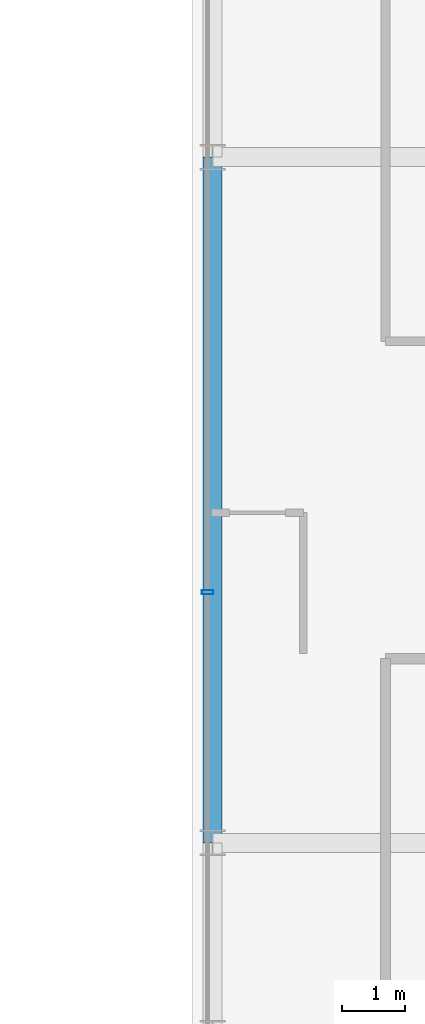
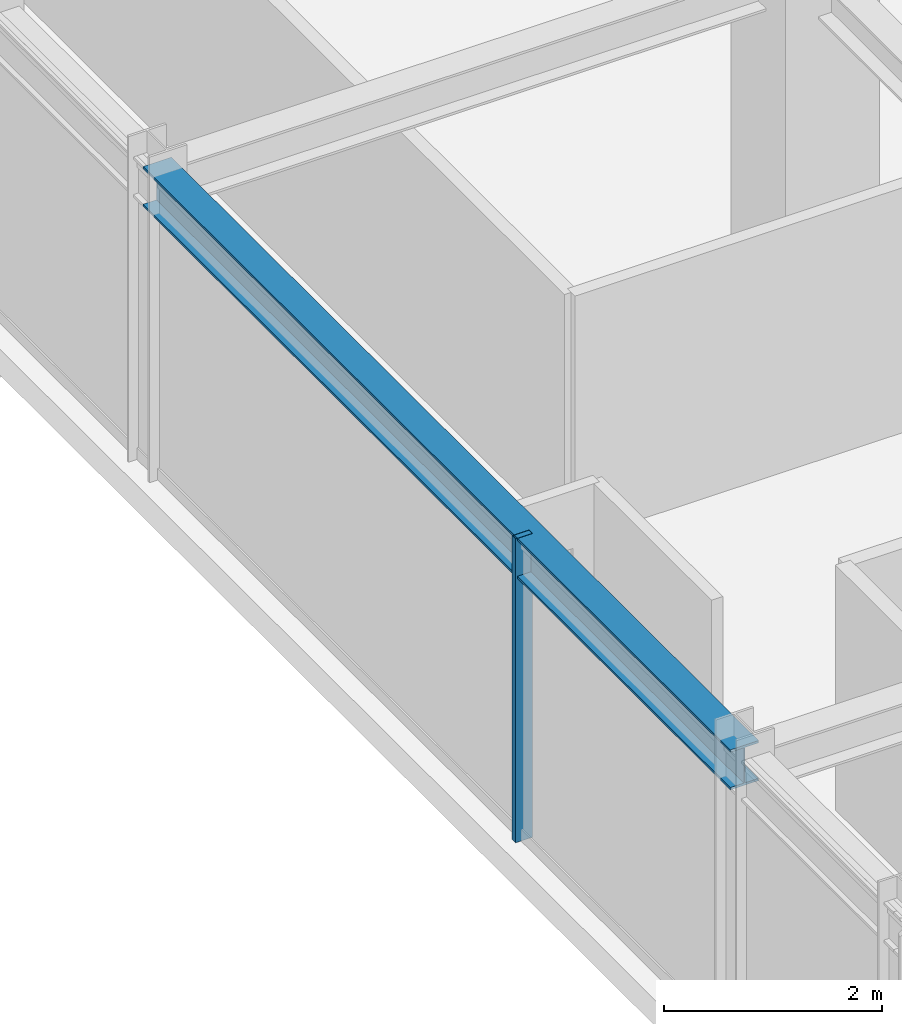
# One storey, part 10 of 41: 1 beam, 1 member, 1 element without a shape of its own.
"""IFC4 building model written with IfcOpenShell, lengths in metres."""

from ifc_helpers import new_model, si_unit, direction, frame, origin, origin_2d, place, context, subcontext, project, spatial, hollow_rectangle, i_section, extrude, source, transform, mapped, material, material_profile, profile_set, type_object, element, aggregate, save


model = new_model("IFC4")

# Units and contexts
model_context = context("Model", 3, precision=1e-05, world=origin(), true_north=direction((0.0, 1.0)))
body_context = subcontext(model_context, "Body", "Model", "MODEL_VIEW")
ifc_project = project(units=[si_unit("LENGTHUNIT", "METRE"), si_unit("AREAUNIT", "SQUARE_METRE"), si_unit("VOLUMEUNIT", "CUBIC_METRE"), si_unit("PLANEANGLEUNIT", "RADIAN"), si_unit("MASSUNIT", "GRAM", prefix="KILO")], contexts=[model_context])

# Site, building, storey
site_placement = place(None, origin())
site = spatial("IfcSite", under=ifc_project, at=site_placement, CompositionType="ELEMENT")
building_placement = place(site_placement, origin())
building = spatial("IfcBuilding", under=site, at=building_placement, Name="Nahalor Promenade Grand Hotel", CompositionType="ELEMENT")
storey_placement = place(building_placement, frame((0.0, 0.0, 227.10009765625)))
storey = spatial("IfcBuildingStorey", under=building, at=storey_placement, Name="L58", CompositionType="ELEMENT", Elevation=227.10009765625)

# Beam
ifc_material_1 = material(Name="Steel S355JR", Category="steel")
ifc_material_profile_1 = material_profile(ifc_material_1, i_section(OverallWidth=0.3, OverallDepth=0.45, WebThickness=0.014, FlangeThickness=0.026, at=origin_2d()), Name="HEB 450")
ifc_profile_set_1 = profile_set([ifc_material_profile_1], Name="Steel S355JR")
beam_type = type_object("IfcBeamType", Name="Beam-Spandrel-HEB450", PredefinedType="SPANDREL", material=ifc_profile_set_1)
shared_shape_1 = source(origin(), body_context, "Body", "SweptSolid", [
    extrude(i_section(OverallWidth=0.3, OverallDepth=0.45, WebThickness=0.014, FlangeThickness=0.026, at=origin_2d()), origin(), (0.0, 0.0, 1.0), 10.7998046875),
])
beam_placement = place(storey_placement, frame((-23.8798828125, -5.39990234375, 3.184814453125), z_axis=(0.0, 1.0, 0.0), x_axis=(-1.0, 0.0, 0.0)))
element("IfcBeam", 1, at=beam_placement, inside=storey, type_object=beam_type, Name="BM-L58-SP-W-2", PredefinedType="SPANDREL", context=body_context, shape_type="MappedRepresentation", body=[
    mapped(shared_shape_1, transform((0.0, 0.0, 0.0), scale=1.0)),
])

# Curtain wall, member
ifc_material_2 = material(Name="Anodised Bronze Aluminium EN AW-6063 T6", Category="aluminium")
curtain_wall_type = type_object("IfcCurtainWallType", Name="CW2 Typical Hotel Flush Bronze Unitised Curtain Wall", PredefinedType="USERDEFINED", material=ifc_material_2)
curtain_wall_placement = place(storey_placement, origin())
curtain_wall = element("IfcCurtainWall", 2, at=curtain_wall_placement, inside=storey, type_object=curtain_wall_type, Name="L58 Curtain Wall CW-L58-W-1", ObjectType="UNITISED_CURTAIN_WALL", PredefinedType="USERDEFINED")
ifc_material_profile_2 = material_profile(ifc_material_2, hollow_rectangle(XDim=0.065, YDim=0.18, WallThickness=0.004, at=origin_2d()), Name="CWM 65x180x4")
ifc_profile_set_2 = profile_set([ifc_material_profile_2], Name="Anodised Bronze Aluminium EN AW-6063 T6")
member_type = type_object("IfcMemberType", Name="CWM2 Typical Bronze Mullion 65x180", PredefinedType="MULLION", material=ifc_profile_set_2)
shared_shape_2 = source(origin(), body_context, "Body", "SweptSolid", [
    extrude(hollow_rectangle(XDim=0.065, YDim=0.18, WallThickness=0.004, at=origin_2d()), origin(), (0.0, 0.0, 1.0), 3.409912109375),
])
member_placement = place(storey_placement, frame((-23.9599609375, -1.453369140625, 0.0), z_axis=(0.0, 0.0, 1.0), x_axis=(0.0, 1.0, 0.0)))
member = element("IfcMember", 3, at=member_placement, type_object=member_type, Name="CW-L58-W-1 Mullion 2", PredefinedType="MULLION", context=body_context, shape_type="MappedRepresentation", body=[
    mapped(shared_shape_2, transform((0.0, 0.0, 0.0), scale=1.0)),
])
aggregate(curtain_wall, [member])

save(model, "model.ifc")
